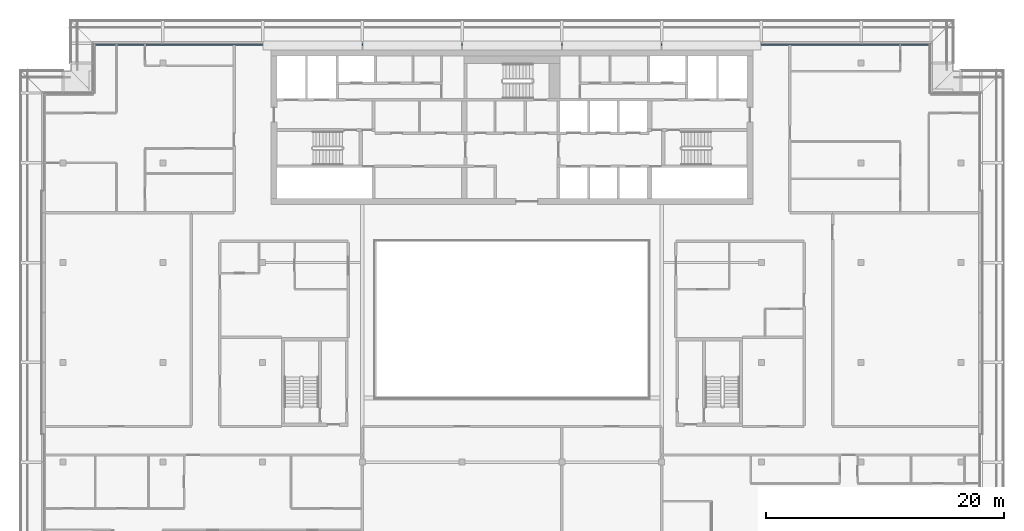
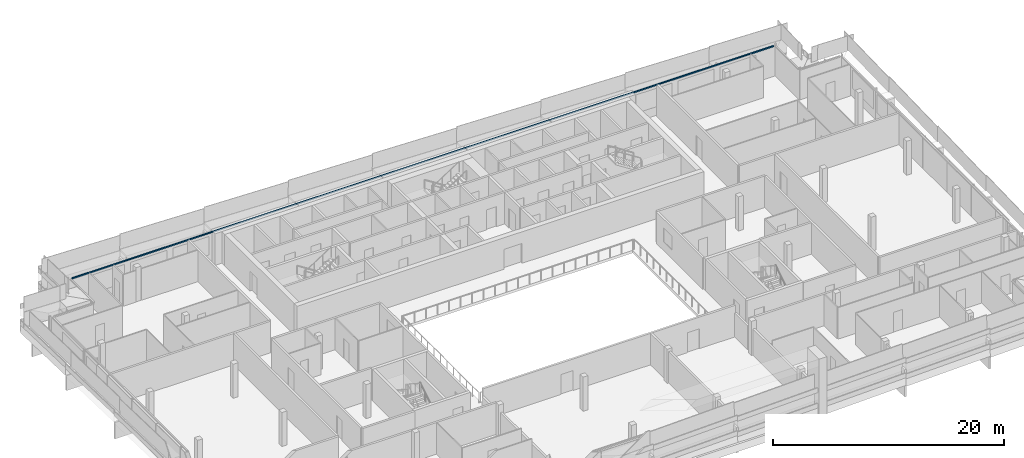
# One storey, part 10 of 33: 1 member, 1 element without a shape of its own.
"""IFC4 building model written with IfcOpenShell, lengths in metres."""

from ifc_helpers import new_model, si_unit, direction, frame, origin, origin_2d, place, context, subcontext, project, spatial, rectangle, extrude, material, material_profile, profile_set, type_object, element, aggregate, save


model = new_model("IFC4")

# Units and contexts
model_context = context("Model", 3, precision=1e-05, world=origin(), true_north=direction((0.0, 1.0)))
body_context = subcontext(model_context, "Body", "Model", "MODEL_VIEW")
ifc_project = project(units=[si_unit("LENGTHUNIT", "METRE"), si_unit("AREAUNIT", "SQUARE_METRE"), si_unit("VOLUMEUNIT", "CUBIC_METRE"), si_unit("PLANEANGLEUNIT", "RADIAN"), si_unit("MASSUNIT", "GRAM", prefix="KILO")], contexts=[model_context])

# Site, building, storey
site_placement = place(None, origin())
site = spatial("IfcSite", under=ifc_project, at=site_placement, CompositionType="ELEMENT")
building_placement = place(site_placement, origin())
building = spatial("IfcBuilding", under=site, at=building_placement, Name="Saffron Gate Tower", CompositionType="ELEMENT")
storey_placement = place(building_placement, frame((0.0, 0.0, 263.550048828125)))
storey = spatial("IfcBuildingStorey", under=building, at=storey_placement, Name="L63", CompositionType="ELEMENT", Elevation=263.550048828125)

# Curtain wall, member
ifc_material = material(Name="Aluminium, bronze anodised", Category="aluminium")
curtain_wall_type = type_object("IfcCurtainWallType", Name="CWS3 curtain wall rear facade", PredefinedType="NOTDEFINED", material=ifc_material)
curtain_wall_placement = place(storey_placement, origin())
curtain_wall = element("IfcCurtainWall", 1, at=curtain_wall_placement, inside=storey, type_object=curtain_wall_type, Name="CWS3 run 7", PredefinedType="NOTDEFINED")
ifc_material_profile = material_profile(ifc_material, rectangle(XDim=0.1201171875, YDim=0.1201171875, at=origin_2d()))
ifc_profile_set = profile_set([ifc_material_profile], Name="Aluminium, bronze anodised")
member_type = type_object("IfcMemberType", Name="CWS3 head transom", PredefinedType="USERDEFINED", material=ifc_profile_set)
member_placement = place(storey_placement, frame((122.632080078125, 75.35205078125, 3.260009765625), z_axis=(-1.0, 0.0, 0.0), x_axis=(0.0, -1.0, 0.0)))
member = element("IfcMember", 2, at=member_placement, type_object=member_type, Name="CWS3 head transom", ObjectType="TRANSOM", PredefinedType="USERDEFINED", context=body_context, shape_type="SweptSolid", body=[
    extrude(rectangle(XDim=0.1201171875, YDim=0.1201171875, at=origin_2d()), origin(), (0.0, 0.0, 1.0), 70.06396484375),
])
aggregate(curtain_wall, [member])

save(model, "model.ifc")
